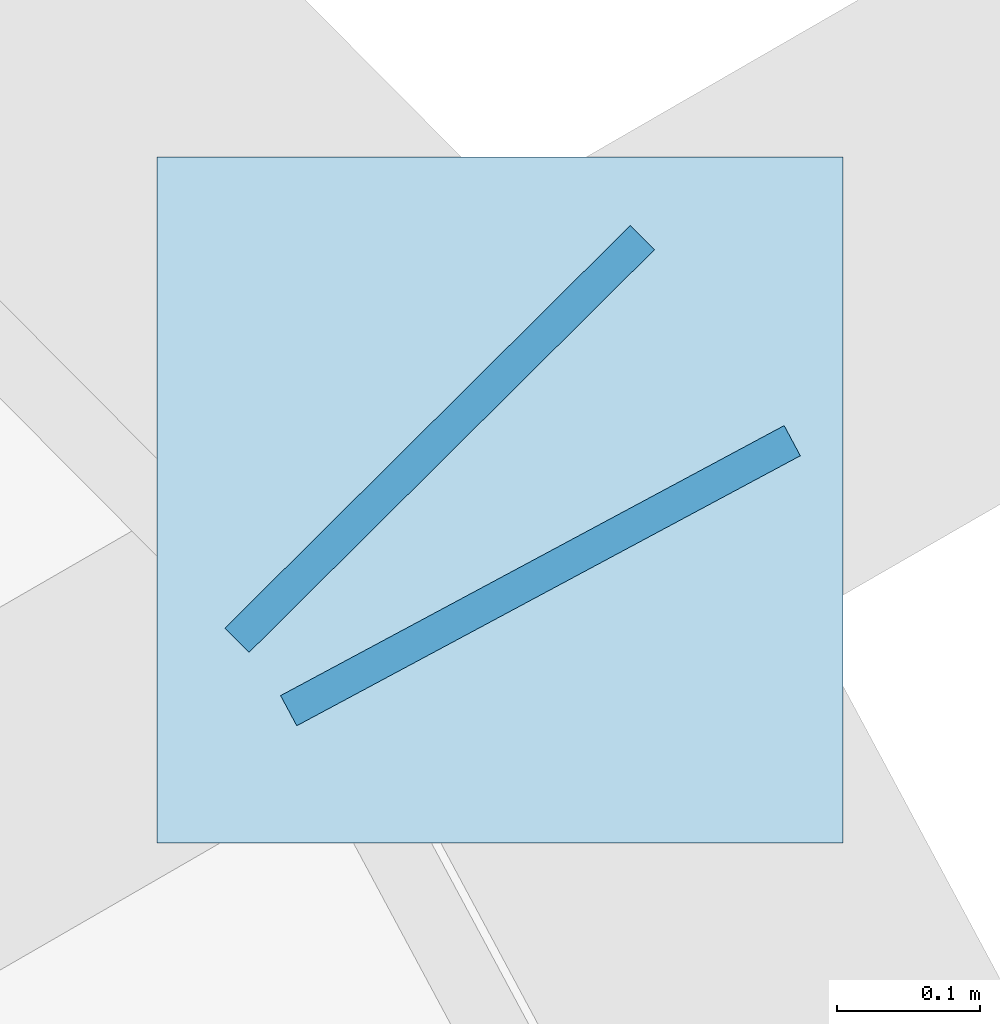
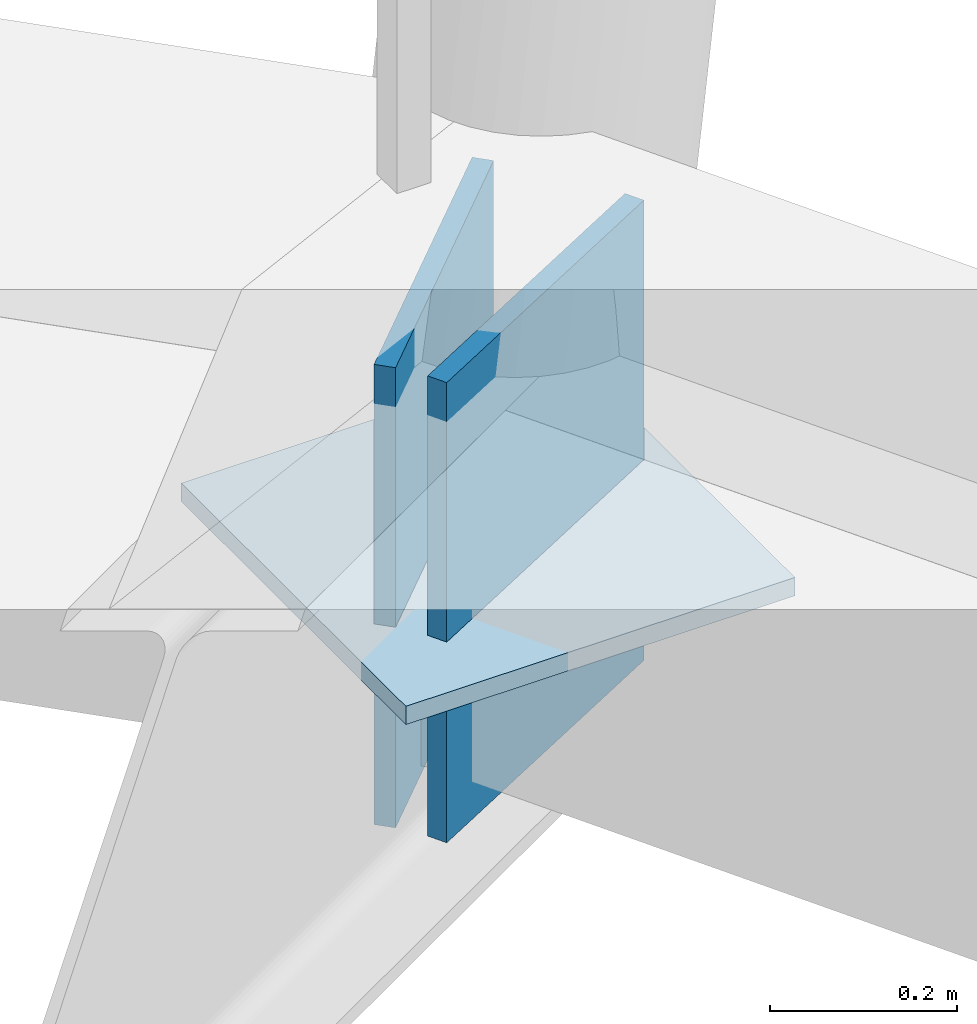
# One storey, part 109 of 168: 3 plates.
"""IFC4 building model written with IfcOpenShell, lengths in metres."""

from ifc_helpers import new_model, si_unit, direction, frame, origin, origin_2d, place, context, subcontext, project, spatial, rectangle, extrude, material, layer, layer_set, type_object, element, save


model = new_model("IFC4")

# Units and contexts
model_context = context("Model", 3, precision=1e-05, world=origin(), true_north=direction((0.0, 1.0)))
body_context = subcontext(model_context, "Body", "Model", "MODEL_VIEW")
ifc_project = project(units=[si_unit("LENGTHUNIT", "METRE"), si_unit("AREAUNIT", "SQUARE_METRE"), si_unit("VOLUMEUNIT", "CUBIC_METRE"), si_unit("PLANEANGLEUNIT", "RADIAN"), si_unit("MASSUNIT", "GRAM", prefix="KILO")], contexts=[model_context])

# Site, building, storey
site_placement = place(None, origin())
site = spatial("IfcSite", under=ifc_project, at=site_placement, CompositionType="ELEMENT")
building_placement = place(site_placement, origin())
building = spatial("IfcBuilding", under=site, at=building_placement, Name="Zlatoyarsky Gate Stadium", CompositionType="ELEMENT")
storey_placement = place(building_placement, frame((0.0, 0.0, 15.60009765625)))
storey = spatial("IfcBuildingStorey", under=building, at=storey_placement, Name="L03", CompositionType="ELEMENT", Elevation=15.60009765625)

# Plates
ifc_material = material(Name="Steel S355", Category="steel")
ifc_layer = layer(ifc_material, 0.02392578125)
ifc_layer_set = layer_set([ifc_layer], Name="Steel S355")
plate_type = type_object("IfcPlateType", Name="STEEL HOLLOW CHORD SPLICE SHEET 24", PredefinedType="SHEET", material=ifc_layer_set)
for number, where, z_axis, x_axis, name in (
    (1, (194.77490234375, 117.298095703125, -0.830078125), (0.0, 0.0, 1.0), (-0.472555712276, 0.881300799271, 0.0), "Hollow end cap ND-SP1 CAP-L03-SPD-01 B"),
    (2, (194.704345703125, 117.393798828125, -0.830078125), (0.0, 0.0, 1.0), (-0.70472967068, 0.709475927191, 0.0), "Hollow end cap ND-SP1 CAP-L03-SPD-02 A"),
):
    element("IfcPlate", number, at=place(storey_placement, frame(where, z_axis=z_axis, x_axis=x_axis)), inside=storey, type_object=plate_type, Name=name, PredefinedType="SHEET", context=body_context, shape_type="SweptSolid", body=[
        extrude(rectangle(XDim=0.02392578125, YDim=0.39990234375, at=origin_2d()), origin(), (0.0, 0.0, 1.0), 0.60009765625),
    ])
plate_placement = place(storey_placement, frame((194.74658203125, 117.35107421875, -0.592041015625), z_axis=(0.0, 0.0, 1.0), x_axis=(1.0, 0.0, 0.0)))
element("IfcPlate", 3, at=plate_placement, inside=storey, type_object=plate_type, Name="Node closure plate ND-SP1 NCAP-L03-RSTR-02", PredefinedType="SHEET", context=body_context, shape_type="SweptSolid", body=[
    extrude(rectangle(XDim=0.47998046875, YDim=0.47998046875, at=origin_2d()), origin(), (0.0, 0.0, 1.0), 0.02392578125),
])

save(model, "model.ifc")
